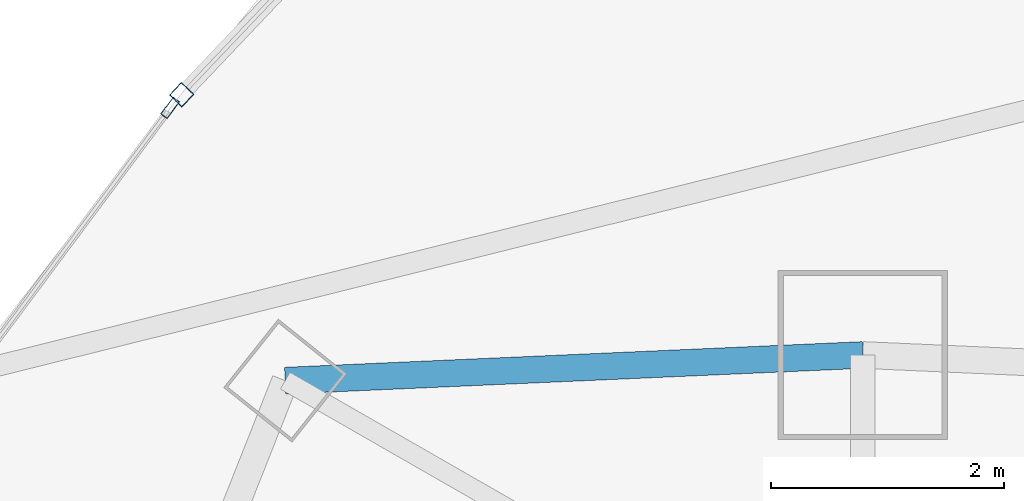
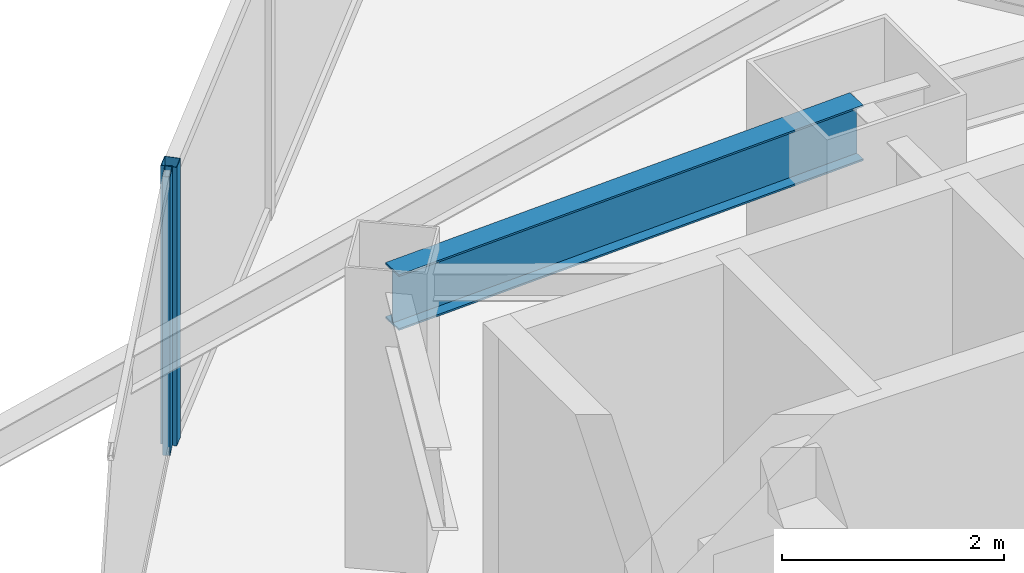
# One storey, part 21 of 31: 2 members, 1 beam, 2 elements without a shape of their own.
"""IFC4 building model written with IfcOpenShell, lengths in metres."""

import ifcopenshell
import ifcopenshell.guid

model = None  # the IFC model being written
_history = None  # IfcOwnerHistory: only IFC2X3 demands one
_inside = {}  # id of a spatial element -> (the spatial element, [elements in it])
_under = {}  # id of a project, library or spatial element -> (it, [spatial elements below it])
_declared = {}  # id of a project -> (the project, [libraries it declares])
_typed = {}  # id of a type object -> (the type object, [elements of that type])
_made_of = {}  # id of a material, layer set ... -> (it, [elements and type objects made of it])


def new_model(schema):
    """Start an empty IFC model of exactly this schema.

    Asked for "IFC4X3", IfcOpenShell would pick the latest addendum, in which some entities
    have other attributes; the version numbers below select the first issue.
    IFC2X3 requires an IfcOwnerHistory on every rooted entity: one is made here for all.
    """
    global model, _history
    if schema == "IFC4X3":
        model = ifcopenshell.file(schema_version=(4, 3, 0, 0))
    else:
        model = ifcopenshell.file(schema=schema)
    _inside.clear()
    _under.clear()
    _declared.clear()
    _typed.clear()
    _made_of.clear()
    _history = None
    if model.schema == "IFC2X3":
        org = make("IfcOrganization", Name="unknown")
        user = make(
            "IfcPersonAndOrganization",
            ThePerson=make("IfcPerson", FamilyName="unknown"),
            TheOrganization=org,
        )
        app = make(
            "IfcApplication",
            ApplicationDeveloper=org,
            Version="unknown",
            ApplicationFullName="unknown",
            ApplicationIdentifier="unknown",
        )
        _history = make(
            "IfcOwnerHistory",
            OwningUser=user,
            OwningApplication=app,
            ChangeAction="ADDED",
            CreationDate=0,
        )
    return model


def make(cls, **values):
    """One entity of the class cls with the attributes given. An attribute that is None is left unset."""
    return model.create_entity(
        cls, **{name: value for name, value in values.items() if value is not None}
    )


def rooted(cls, **values):
    """An entity with a GlobalId (a new one), such as an element, a storey or a relation."""
    return make(cls, GlobalId=ifcopenshell.guid.new(), OwnerHistory=_history, **values)


def si_unit(unit_type, name, prefix=None):
    """IfcSIUnit, for example si_unit("LENGTHUNIT", "METRE", prefix="MILLI")."""
    return make("IfcSIUnit", UnitType=unit_type, Prefix=prefix, Name=name)


def assignment(units):
    """IfcUnitAssignment: the units of a project."""
    return None if units is None else make("IfcUnitAssignment", Units=units)


def point(xyz):
    """IfcCartesianPoint."""
    return None if xyz is None else make("IfcCartesianPoint", Coordinates=xyz)


def direction(xyz):
    """IfcDirection."""
    return None if xyz is None else make("IfcDirection", DirectionRatios=xyz)


def frame(location, z_axis=None, x_axis=None):
    """IfcAxis2Placement3D, a coordinate frame: its origin and axes. An axis left out is left unset."""
    return make(
        "IfcAxis2Placement3D",
        Location=point(location),
        Axis=direction(z_axis),
        RefDirection=direction(x_axis),
    )


def frame_2d(location, x_axis=None):
    """IfcAxis2Placement2D, a coordinate frame in the plane: its origin and x axis."""
    return make(
        "IfcAxis2Placement2D", Location=point(location), RefDirection=direction(x_axis)
    )


def origin():
    """The frame at (0, 0, 0) with its axes left unset."""
    return frame((0.0, 0.0, 0.0))


def origin_2d():
    """The frame at (0, 0) in the plane with its x axis left unset."""
    return frame_2d((0.0, 0.0))


def place(relative_to, where):
    """IfcLocalPlacement: puts the frame where relative to a parent placement (None: the world)."""
    return make(
        "IfcLocalPlacement", PlacementRelTo=relative_to, RelativePlacement=where
    )


def context(
    kind, dimensions, precision=None, world=None, true_north=None, identifier=None
):
    """IfcGeometricRepresentationContext, for example the 3D "Model" context."""
    return make(
        "IfcGeometricRepresentationContext",
        ContextIdentifier=identifier,
        ContextType=kind,
        CoordinateSpaceDimension=dimensions,
        Precision=precision,
        WorldCoordinateSystem=world,
        TrueNorth=true_north,
    )


def subcontext(parent, identifier, kind, view, scale=None):
    """IfcGeometricRepresentationSubContext, for example "Body" below "Model"."""
    return make(
        "IfcGeometricRepresentationSubContext",
        ContextIdentifier=identifier,
        ContextType=kind,
        ParentContext=parent,
        TargetScale=scale,
        TargetView=view,
    )


def project(units=None, contexts=None):
    """IfcProject with its units and contexts."""
    return rooted(
        "IfcProject",
        Name="project",
        RepresentationContexts=contexts,
        UnitsInContext=assignment(units),
    )


def spatial(cls, under=None, at=None, **own):
    """A site, building, storey or space (cls), placed at a placement, below another one or the project."""
    s = rooted(cls, ObjectPlacement=at, **own)
    if under is not None:
        _under.setdefault(under.id(), (under, []))[1].append(s)
    return s


def profile(cls, at=None, kind="AREA", **sizes):
    """A parametric profile (cls). Its sizes go by their IFC names, for example OverallWidth=200.0."""
    return make(cls, ProfileType=kind, Position=at, **sizes)


def hollow_rectangle(**sizes):
    """IfcRectangleHollowProfileDef."""
    return profile("IfcRectangleHollowProfileDef", **sizes)


def i_section(**sizes):
    """IfcIShapeProfileDef."""
    return profile("IfcIShapeProfileDef", **sizes)


def extrude(swept, where, along, depth):
    """IfcExtrudedAreaSolid: the profile swept, set in the frame where, extruded along a direction by depth."""
    return make(
        "IfcExtrudedAreaSolid",
        SweptArea=swept,
        Position=where,
        ExtrudedDirection=direction(along),
        Depth=depth,
    )


def shape(context_of_items, identifier, shape_type, items):
    """IfcShapeRepresentation: the items that make up one representation, for example the "Body"."""
    return make(
        "IfcShapeRepresentation",
        ContextOfItems=context_of_items,
        RepresentationIdentifier=identifier,
        RepresentationType=shape_type,
        Items=items,
    )


def material(Name=None, Category=None):
    """IfcMaterial."""
    return make("IfcMaterial", Name=Name, Category=Category)


def layer(
    of_material, thickness, ventilated=None, Name=None, Category=None, Priority=None
):
    """IfcMaterialLayer: one layer of a wall or slab, of a material (None: an air gap)."""
    return make(
        "IfcMaterialLayer",
        Material=of_material,
        LayerThickness=thickness,
        IsVentilated=ventilated,
        Name=Name,
        Category=Category,
        Priority=Priority,
    )


def layer_set(layers, Name=None):
    """IfcMaterialLayerSet."""
    return make("IfcMaterialLayerSet", MaterialLayers=layers, LayerSetName=Name)


def material_profile(
    of_material, cross_section, Name=None, Category=None, Priority=None
):
    """IfcMaterialProfile: a cross section and its material."""
    return make(
        "IfcMaterialProfile",
        Name=Name,
        Material=of_material,
        Profile=cross_section,
        Priority=Priority,
        Category=Category,
    )


def profile_set(profiles, Name=None, composite=None):
    """IfcMaterialProfileSet."""
    return make(
        "IfcMaterialProfileSet",
        Name=Name,
        MaterialProfiles=profiles,
        CompositeProfile=composite,
    )


def made_of(thing, what):
    """Note that an element or type object is made of a material, layer set ...; save() writes the relation."""
    if what is not None:
        _made_of.setdefault(what.id(), (what, []))[1].append(thing)
    return thing


def type_object(cls, material=None, **own):
    """A type object (cls), such as IfcWallType, which elements share."""
    return made_of(rooted(cls, **own), material)


def element(
    cls,
    number,
    at=None,
    inside=None,
    cuts=None,
    type_object=None,
    material=None,
    context=None,
    identifier="Body",
    shape_type=None,
    held_by="IfcProductDefinitionShape",
    body=None,
    shapes=None,
    **own,
):
    """One element of the class cls, such as IfcWall. Its Tag is "e" and its number.

    at: its placement. inside: the storey or other place that contains it. cuts: it is an
    opening in that element (IfcRelVoidsElement). A single representation is given by context,
    identifier, shape_type and body (its items); several are given by shapes. held_by: the class
    of the entity that holds the representations. save() writes the other relations.
    """
    e = rooted(cls, Tag="e%d" % number, ObjectPlacement=at, **own)
    if body is not None:
        shapes = [shape(context, identifier, shape_type, body)]
    if shapes is not None:
        e.Representation = make(held_by, Representations=shapes)
    if inside is not None:
        _inside.setdefault(inside.id(), (inside, []))[1].append(e)
    if cuts is not None:
        rooted(
            "IfcRelVoidsElement", RelatingBuildingElement=cuts, RelatedOpeningElement=e
        )
    if type_object is not None:
        _typed.setdefault(type_object.id(), (type_object, []))[1].append(e)
    return made_of(e, material)


def aggregate(whole, parts):
    """IfcRelAggregates: a whole, such as a stair, and the parts it consists of."""
    return rooted("IfcRelAggregates", RelatingObject=whole, RelatedObjects=parts)


def save(model, path):
    """Write the relations noted so far, then the file.

    IfcRelAggregates (storeys below a building ...), IfcRelContainedInSpatialStructure (elements
    in a storey), IfcRelDefinesByType, IfcRelAssociatesMaterial and IfcRelDeclares: one each for
    every whole, place, type object, material and project.
    """
    for whole, parts in _under.values():
        aggregate(whole, parts)
    for where, things in _inside.values():
        rooted(
            "IfcRelContainedInSpatialStructure",
            RelatedElements=things,
            RelatingStructure=where,
        )
    for kind, things in _typed.values():
        rooted("IfcRelDefinesByType", RelatedObjects=things, RelatingType=kind)
    for what, things in _made_of.values():
        rooted("IfcRelAssociatesMaterial", RelatedObjects=things, RelatingMaterial=what)
    for by, libraries in _declared.values():
        rooted("IfcRelDeclares", RelatingContext=by, RelatedDefinitions=libraries)
    model.write(path)


model = new_model("IFC4")

# Units and contexts
model_context = context("Model", 3, precision=1e-05, world=origin(), true_north=direction((0.0, 1.0)))
body_context = subcontext(model_context, "Body", "Model", "MODEL_VIEW")
ifc_project = project(units=[si_unit("LENGTHUNIT", "METRE"), si_unit("AREAUNIT", "SQUARE_METRE"), si_unit("VOLUMEUNIT", "CUBIC_METRE"), si_unit("PLANEANGLEUNIT", "RADIAN"), si_unit("MASSUNIT", "GRAM", prefix="KILO")], contexts=[model_context])

# Site, building, storey
site_placement = place(None, origin())
site = spatial("IfcSite", under=ifc_project, at=site_placement, CompositionType="ELEMENT")
building_placement = place(site_placement, origin())
building = spatial("IfcBuilding", under=site, at=building_placement, Name="Orvanel Arch Residences", CompositionType="ELEMENT")
storey_placement = place(building_placement, frame((0.0, 0.0, 133.10009765625)))
storey = spatial("IfcBuildingStorey", under=building, at=storey_placement, Name="L37", CompositionType="ELEMENT", Elevation=133.10009765625)

# Curtain wall, member
ifc_material_1 = material(Name="Bronze-anodised aluminium AA6063-T6", Category="aluminium")
ifc_layer_1 = layer(ifc_material_1, 0.18994140625)
ifc_layer_set_1 = layer_set([ifc_layer_1], Name="Bronze-anodised aluminium AA6063-T6")
curtain_wall_type_1 = type_object("IfcCurtainWallType", Name="CW5-CRN-SYS", PredefinedType="NOTDEFINED", material=ifc_layer_set_1)
curtain_wall_1_placement = place(storey_placement, origin())
curtain_wall_1 = element("IfcCurtainWall", 1, at=curtain_wall_1_placement, inside=storey, type_object=curtain_wall_type_1, Name="L37 CW5-CRN-SYS Unitised Curtain Wall", PredefinedType="NOTDEFINED")
ifc_material_profile_1 = material_profile(ifc_material_1, hollow_rectangle(XDim=0.14990234375, YDim=0.14990234375, WallThickness=0.0048828125, at=origin_2d()), Name="ALU150x150x5")
ifc_profile_set_1 = profile_set([ifc_material_profile_1], Name="Bronze-anodised aluminium AA6063-T6")
member_type_1 = type_object("IfcMemberType", Name="MUL-150x150", PredefinedType="MULLION", material=ifc_profile_set_1)
member_1_placement = place(storey_placement, frame((27.16259765625, 43.62841796875, 0.0), z_axis=(0.0, 0.0, 1.0), x_axis=(0.725177541449, -0.688561931403, 0.0)))
member_1 = element("IfcMember", 2, at=member_1_placement, type_object=member_type_1, Name="CW-S5 mullion 3", PredefinedType="MULLION", context=body_context, shape_type="SweptSolid", body=[
    extrude(hollow_rectangle(XDim=0.14990234375, YDim=0.14990234375, WallThickness=0.0048828125, at=origin_2d()), origin(), (0.0, 0.0, 1.0), 3.059814453125),
])
aggregate(curtain_wall_1, [member_1])

ifc_layer_2 = layer(ifc_material_1, 0.179931640625)
ifc_layer_set_2 = layer_set([ifc_layer_2], Name="Bronze-anodised aluminium AA6063-T6")
curtain_wall_type_2 = type_object("IfcCurtainWallType", Name="CW3-MID-SYS", PredefinedType="NOTDEFINED", material=ifc_layer_set_2)
curtain_wall_2_placement = place(storey_placement, origin())
curtain_wall_2 = element("IfcCurtainWall", 3, at=curtain_wall_2_placement, inside=storey, type_object=curtain_wall_type_2, Name="L37 CW3-MID-SYS Unitised Curtain Wall", PredefinedType="NOTDEFINED")
ifc_material_profile_2 = material_profile(ifc_material_1, hollow_rectangle(XDim=0.070068359375, YDim=0.179931640625, WallThickness=0.00439453125, at=origin_2d()), Name="ALU180x70x4.5")
ifc_profile_set_2 = profile_set([ifc_material_profile_2], Name="Bronze-anodised aluminium AA6063-T6")
member_type_2 = type_object("IfcMemberType", Name="MUL-180x70", PredefinedType="MULLION", material=ifc_profile_set_2)
member_2_placement = place(storey_placement, frame((27.064208984375, 43.514892578125, 0.0), z_axis=(0.0, 0.0, 1.0), x_axis=(0.801951131724, -0.597389640291, 0.0)))
member_2 = element("IfcMember", 4, at=member_2_placement, type_object=member_type_2, Name="CW-S3 mullion 1", PredefinedType="MULLION", context=body_context, shape_type="SweptSolid", body=[
    extrude(hollow_rectangle(XDim=0.070068359375, YDim=0.179931640625, WallThickness=0.00439453125, at=origin_2d()), origin(), (0.0, 0.0, 1.0), 3.059814453125),
])
aggregate(curtain_wall_2, [member_2])

# Beam
ifc_material_2 = material(Name="Structural steel AS/NZS 3679.1 Grade 300 (300 MPa)", Category="steel")
ifc_material_profile_3 = material_profile(ifc_material_2, i_section(OverallWidth=0.22900390625, OverallDepth=0.612060546875, WebThickness=0.011962890625, FlangeThickness=0.01953125, at=origin_2d()), Name="610UB125")
ifc_profile_set_3 = profile_set([ifc_material_profile_3], Name="Structural steel AS/NZS 3679.1 Grade 300 (300 MPa)")
beam_type = type_object("IfcBeamType", Name="SP-610UB", PredefinedType="SPANDREL", material=ifc_profile_set_3)
beam_placement = place(storey_placement, frame((33.0, 41.39794921875, 2.75390625), z_axis=(-0.999014049296, -0.044395149614, 0.0), x_axis=(0.044395149614, -0.999014049296, 0.0)))
element("IfcBeam", 5, at=beam_placement, inside=storey, type_object=beam_type, Name="L37 Perimeter Spandrel Beam 15", PredefinedType="SPANDREL", context=body_context, shape_type="SweptSolid", body=[
    extrude(i_section(OverallWidth=0.22900390625, OverallDepth=0.612060546875, WebThickness=0.011962890625, FlangeThickness=0.01953125, at=origin_2d()), origin(), (0.0, 0.0, 1.0), 4.954833984375),
])

save(model, "model.ifc")
